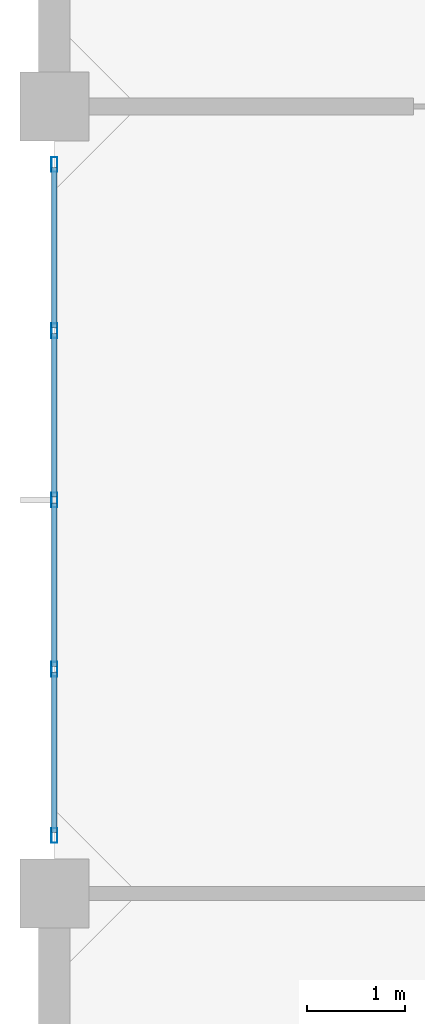
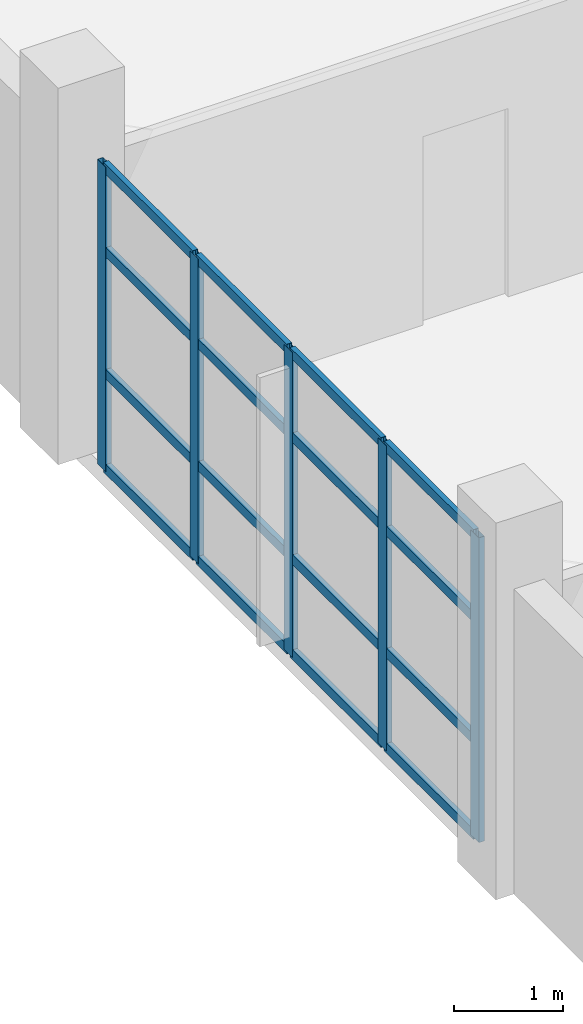
# One storey, part 8 of 27: 21 members, 1 element without a shape of its own.
"""IFC4 building model written with IfcOpenShell, lengths in metres."""

from ifc_helpers import new_model, si_unit, direction, frame, origin, origin_2d, place, context, subcontext, project, spatial, hollow_rectangle, extrude, material, layer, layer_set, material_profile, profile_set, type_object, element, aggregate, save


model = new_model("IFC4")

# Units and contexts
model_context = context("Model", 3, precision=1e-05, world=origin(), true_north=direction((0.0, 1.0)))
body_context = subcontext(model_context, "Body", "Model", "MODEL_VIEW")
ifc_project = project(units=[si_unit("LENGTHUNIT", "METRE"), si_unit("AREAUNIT", "SQUARE_METRE"), si_unit("VOLUMEUNIT", "CUBIC_METRE"), si_unit("PLANEANGLEUNIT", "RADIAN"), si_unit("MASSUNIT", "GRAM", prefix="KILO")], contexts=[model_context])

# Site, building, storey
site_placement = place(None, origin())
site = spatial("IfcSite", under=ifc_project, at=site_placement, CompositionType="ELEMENT")
building_placement = place(site_placement, origin())
building = spatial("IfcBuilding", under=site, at=building_placement, Name="Canggui Botanical Conservatory", CompositionType="ELEMENT")
storey_placement = place(building_placement, frame((0.0, 0.0, 36.0)))
storey = spatial("IfcBuildingStorey", under=building, at=storey_placement, Name="L09", CompositionType="ELEMENT", Elevation=36.0)

# Curtain wall, members
ifc_material = material(Name="Thermally Broken Aluminium", Category="aluminium")
ifc_layer = layer(ifc_material, 0.14990234375, Name="Thermally Broken Aluminium", Category="aluminium")
ifc_layer_set = layer_set([ifc_layer], Name="Thermally Broken Aluminium")
curtain_wall_type = type_object("IfcCurtainWallType", Name="CW-UNIT-C", PredefinedType="USERDEFINED", material=ifc_layer_set)
curtain_wall_placement = place(storey_placement, origin())
curtain_wall = element("IfcCurtainWall", 1, at=curtain_wall_placement, inside=storey, type_object=curtain_wall_type, Name="Facade Curtain Wall CW-TWR-L09-09", ObjectType="UNITISED CURTAIN WALL", PredefinedType="USERDEFINED")
ifc_material_profile_1 = material_profile(ifc_material, hollow_rectangle(XDim=0.06005859375, YDim=0.14990234375, WallThickness=0.00341796875, at=origin_2d()), Name="CWM 60x150x3.5")
ifc_profile_set_1 = profile_set([ifc_material_profile_1], Name="Thermally Broken Aluminium")
member_type_1 = type_object("IfcMemberType", Name="CWM-03", PredefinedType="MULLION", material=ifc_profile_set_1)
member_1_placement = place(storey_placement, frame((138.0, 58.590087890625, 0.0), z_axis=(0.0, 0.0, 1.0), x_axis=(-1.0, 0.0, 0.0)))
member_1 = element("IfcMember", 2, at=member_1_placement, type_object=member_type_1, Name="CW-03 mullion 1", PredefinedType="MULLION", context=body_context, shape_type="SweptSolid", body=[
    extrude(hollow_rectangle(XDim=0.06005859375, YDim=0.14990234375, WallThickness=0.00341796875, at=origin_2d()), origin(), (0.0, 0.0, 1.0), 3.39990234375),
])
member_2_placement = place(storey_placement, frame((138.0, 60.280029296875, 0.0), z_axis=(0.0, 0.0, 1.0), x_axis=(-1.0, 0.0, 0.0)))
member_2 = element("IfcMember", 3, at=member_2_placement, type_object=member_type_1, Name="CW-03 mullion 2", PredefinedType="MULLION", context=body_context, shape_type="SweptSolid", body=[
    extrude(hollow_rectangle(XDim=0.06005859375, YDim=0.14990234375, WallThickness=0.00341796875, at=origin_2d()), origin(), (0.0, 0.0, 1.0), 3.39990234375),
])
member_3_placement = place(storey_placement, frame((138.0, 62.0, 0.0), z_axis=(0.0, 0.0, 1.0), x_axis=(-1.0, 0.0, 0.0)))
member_3 = element("IfcMember", 4, at=member_3_placement, type_object=member_type_1, Name="CW-03 mullion 3", PredefinedType="MULLION", context=body_context, shape_type="SweptSolid", body=[
    extrude(hollow_rectangle(XDim=0.06005859375, YDim=0.14990234375, WallThickness=0.00341796875, at=origin_2d()), origin(), (0.0, 0.0, 1.0), 3.39990234375),
])
member_4_placement = place(storey_placement, frame((138.0, 63.719970703125, 0.0), z_axis=(0.0, 0.0, 1.0), x_axis=(-1.0, 0.0, 0.0)))
member_4 = element("IfcMember", 5, at=member_4_placement, type_object=member_type_1, Name="CW-03 mullion 4", PredefinedType="MULLION", context=body_context, shape_type="SweptSolid", body=[
    extrude(hollow_rectangle(XDim=0.06005859375, YDim=0.14990234375, WallThickness=0.00341796875, at=origin_2d()), origin(), (0.0, 0.0, 1.0), 3.39990234375),
])
member_5_placement = place(storey_placement, frame((138.0, 65.409912109375, 0.0), z_axis=(0.0, 0.0, 1.0), x_axis=(-1.0, 0.0, 0.0)))
member_5 = element("IfcMember", 6, at=member_5_placement, type_object=member_type_1, Name="CW-03 mullion 5", PredefinedType="MULLION", context=body_context, shape_type="SweptSolid", body=[
    extrude(hollow_rectangle(XDim=0.06005859375, YDim=0.14990234375, WallThickness=0.00341796875, at=origin_2d()), origin(), (0.0, 0.0, 1.0), 3.39990234375),
])
ifc_material_profile_2 = material_profile(ifc_material, hollow_rectangle(XDim=0.054931640625, YDim=0.110107421875, WallThickness=0.0029296875, at=origin_2d()), Name="CWT 55x110x3")
ifc_profile_set_2 = profile_set([ifc_material_profile_2], Name="Thermally Broken Aluminium")
member_type_2 = type_object("IfcMemberType", Name="CWT-03", PredefinedType="USERDEFINED", material=ifc_profile_set_2)
member_6_placement = place(storey_placement, frame((138.0, 58.6201171875, 0.027587890625), z_axis=(0.0, 1.0, 0.0), x_axis=(-1.0, 0.0, 0.0)))
member_6 = element("IfcMember", 7, at=member_6_placement, type_object=member_type_2, Name="CW-03 transom 1.1", ObjectType="TRANSOM", PredefinedType="USERDEFINED", context=body_context, shape_type="SweptSolid", body=[
    extrude(hollow_rectangle(XDim=0.054931640625, YDim=0.110107421875, WallThickness=0.0029296875, at=origin_2d()), origin(), (0.0, 0.0, 1.0), 1.6298828125),
])
member_7_placement = place(storey_placement, frame((138.0, 58.6201171875, 1.087890625), z_axis=(0.0, 1.0, 0.0), x_axis=(-1.0, 0.0, 0.0)))
member_7 = element("IfcMember", 8, at=member_7_placement, type_object=member_type_2, Name="CW-03 transom 1.2", ObjectType="TRANSOM", PredefinedType="USERDEFINED", context=body_context, shape_type="SweptSolid", body=[
    extrude(hollow_rectangle(XDim=0.054931640625, YDim=0.110107421875, WallThickness=0.0029296875, at=origin_2d()), origin(), (0.0, 0.0, 1.0), 1.6298828125),
])
member_8_placement = place(storey_placement, frame((138.0, 58.6201171875, 2.447998046875), z_axis=(0.0, 1.0, 0.0), x_axis=(-1.0, 0.0, 0.0)))
member_8 = element("IfcMember", 9, at=member_8_placement, type_object=member_type_2, Name="CW-03 transom 1.3", ObjectType="TRANSOM", PredefinedType="USERDEFINED", context=body_context, shape_type="SweptSolid", body=[
    extrude(hollow_rectangle(XDim=0.054931640625, YDim=0.110107421875, WallThickness=0.0029296875, at=origin_2d()), origin(), (0.0, 0.0, 1.0), 1.6298828125),
])
member_9_placement = place(storey_placement, frame((138.0, 58.6201171875, 3.37255859375), z_axis=(0.0, 1.0, 0.0), x_axis=(-1.0, 0.0, 0.0)))
member_9 = element("IfcMember", 10, at=member_9_placement, type_object=member_type_2, Name="CW-03 transom 1.4", ObjectType="TRANSOM", PredefinedType="USERDEFINED", context=body_context, shape_type="SweptSolid", body=[
    extrude(hollow_rectangle(XDim=0.054931640625, YDim=0.110107421875, WallThickness=0.0029296875, at=origin_2d()), origin(), (0.0, 0.0, 1.0), 1.6298828125),
])
member_10_placement = place(storey_placement, frame((138.0, 60.31005859375, 0.027587890625), z_axis=(0.0, 1.0, 0.0), x_axis=(-1.0, 0.0, 0.0)))
member_10 = element("IfcMember", 11, at=member_10_placement, type_object=member_type_2, Name="CW-03 transom 2.1", ObjectType="TRANSOM", PredefinedType="USERDEFINED", context=body_context, shape_type="SweptSolid", body=[
    extrude(hollow_rectangle(XDim=0.054931640625, YDim=0.110107421875, WallThickness=0.0029296875, at=origin_2d()), origin(), (0.0, 0.0, 1.0), 1.659912109375),
])
member_11_placement = place(storey_placement, frame((138.0, 60.31005859375, 1.087890625), z_axis=(0.0, 1.0, 0.0), x_axis=(-1.0, 0.0, 0.0)))
member_11 = element("IfcMember", 12, at=member_11_placement, type_object=member_type_2, Name="CW-03 transom 2.2", ObjectType="TRANSOM", PredefinedType="USERDEFINED", context=body_context, shape_type="SweptSolid", body=[
    extrude(hollow_rectangle(XDim=0.054931640625, YDim=0.110107421875, WallThickness=0.0029296875, at=origin_2d()), origin(), (0.0, 0.0, 1.0), 1.659912109375),
])
member_12_placement = place(storey_placement, frame((138.0, 60.31005859375, 2.447998046875), z_axis=(0.0, 1.0, 0.0), x_axis=(-1.0, 0.0, 0.0)))
member_12 = element("IfcMember", 13, at=member_12_placement, type_object=member_type_2, Name="CW-03 transom 2.3", ObjectType="TRANSOM", PredefinedType="USERDEFINED", context=body_context, shape_type="SweptSolid", body=[
    extrude(hollow_rectangle(XDim=0.054931640625, YDim=0.110107421875, WallThickness=0.0029296875, at=origin_2d()), origin(), (0.0, 0.0, 1.0), 1.659912109375),
])
member_13_placement = place(storey_placement, frame((138.0, 60.31005859375, 3.37255859375), z_axis=(0.0, 1.0, 0.0), x_axis=(-1.0, 0.0, 0.0)))
member_13 = element("IfcMember", 14, at=member_13_placement, type_object=member_type_2, Name="CW-03 transom 2.4", ObjectType="TRANSOM", PredefinedType="USERDEFINED", context=body_context, shape_type="SweptSolid", body=[
    extrude(hollow_rectangle(XDim=0.054931640625, YDim=0.110107421875, WallThickness=0.0029296875, at=origin_2d()), origin(), (0.0, 0.0, 1.0), 1.659912109375),
])
member_14_placement = place(storey_placement, frame((138.0, 62.030029296875, 0.027587890625), z_axis=(0.0, 1.0, 0.0), x_axis=(-1.0, 0.0, 0.0)))
member_14 = element("IfcMember", 15, at=member_14_placement, type_object=member_type_2, Name="CW-03 transom 3.1", ObjectType="TRANSOM", PredefinedType="USERDEFINED", context=body_context, shape_type="SweptSolid", body=[
    extrude(hollow_rectangle(XDim=0.054931640625, YDim=0.110107421875, WallThickness=0.0029296875, at=origin_2d()), origin(), (0.0, 0.0, 1.0), 1.659912109375),
])
member_15_placement = place(storey_placement, frame((138.0, 62.030029296875, 1.087890625), z_axis=(0.0, 1.0, 0.0), x_axis=(-1.0, 0.0, 0.0)))
member_15 = element("IfcMember", 16, at=member_15_placement, type_object=member_type_2, Name="CW-03 transom 3.2", ObjectType="TRANSOM", PredefinedType="USERDEFINED", context=body_context, shape_type="SweptSolid", body=[
    extrude(hollow_rectangle(XDim=0.054931640625, YDim=0.110107421875, WallThickness=0.0029296875, at=origin_2d()), origin(), (0.0, 0.0, 1.0), 1.659912109375),
])
member_16_placement = place(storey_placement, frame((138.0, 62.030029296875, 2.447998046875), z_axis=(0.0, 1.0, 0.0), x_axis=(-1.0, 0.0, 0.0)))
member_16 = element("IfcMember", 17, at=member_16_placement, type_object=member_type_2, Name="CW-03 transom 3.3", ObjectType="TRANSOM", PredefinedType="USERDEFINED", context=body_context, shape_type="SweptSolid", body=[
    extrude(hollow_rectangle(XDim=0.054931640625, YDim=0.110107421875, WallThickness=0.0029296875, at=origin_2d()), origin(), (0.0, 0.0, 1.0), 1.659912109375),
])
member_17_placement = place(storey_placement, frame((138.0, 62.030029296875, 3.37255859375), z_axis=(0.0, 1.0, 0.0), x_axis=(-1.0, 0.0, 0.0)))
member_17 = element("IfcMember", 18, at=member_17_placement, type_object=member_type_2, Name="CW-03 transom 3.4", ObjectType="TRANSOM", PredefinedType="USERDEFINED", context=body_context, shape_type="SweptSolid", body=[
    extrude(hollow_rectangle(XDim=0.054931640625, YDim=0.110107421875, WallThickness=0.0029296875, at=origin_2d()), origin(), (0.0, 0.0, 1.0), 1.659912109375),
])
member_18_placement = place(storey_placement, frame((138.0, 63.75, 0.027587890625), z_axis=(0.0, 1.0, 0.0), x_axis=(-1.0, 0.0, 0.0)))
member_18 = element("IfcMember", 19, at=member_18_placement, type_object=member_type_2, Name="CW-03 transom 4.1", ObjectType="TRANSOM", PredefinedType="USERDEFINED", context=body_context, shape_type="SweptSolid", body=[
    extrude(hollow_rectangle(XDim=0.054931640625, YDim=0.110107421875, WallThickness=0.0029296875, at=origin_2d()), origin(), (0.0, 0.0, 1.0), 1.6298828125),
])
member_19_placement = place(storey_placement, frame((138.0, 63.75, 1.087890625), z_axis=(0.0, 1.0, 0.0), x_axis=(-1.0, 0.0, 0.0)))
member_19 = element("IfcMember", 20, at=member_19_placement, type_object=member_type_2, Name="CW-03 transom 4.2", ObjectType="TRANSOM", PredefinedType="USERDEFINED", context=body_context, shape_type="SweptSolid", body=[
    extrude(hollow_rectangle(XDim=0.054931640625, YDim=0.110107421875, WallThickness=0.0029296875, at=origin_2d()), origin(), (0.0, 0.0, 1.0), 1.6298828125),
])
member_20_placement = place(storey_placement, frame((138.0, 63.75, 2.447998046875), z_axis=(0.0, 1.0, 0.0), x_axis=(-1.0, 0.0, 0.0)))
member_20 = element("IfcMember", 21, at=member_20_placement, type_object=member_type_2, Name="CW-03 transom 4.3", ObjectType="TRANSOM", PredefinedType="USERDEFINED", context=body_context, shape_type="SweptSolid", body=[
    extrude(hollow_rectangle(XDim=0.054931640625, YDim=0.110107421875, WallThickness=0.0029296875, at=origin_2d()), origin(), (0.0, 0.0, 1.0), 1.6298828125),
])
member_21_placement = place(storey_placement, frame((138.0, 63.75, 3.37255859375), z_axis=(0.0, 1.0, 0.0), x_axis=(-1.0, 0.0, 0.0)))
member_21 = element("IfcMember", 22, at=member_21_placement, type_object=member_type_2, Name="CW-03 transom 4.4", ObjectType="TRANSOM", PredefinedType="USERDEFINED", context=body_context, shape_type="SweptSolid", body=[
    extrude(hollow_rectangle(XDim=0.054931640625, YDim=0.110107421875, WallThickness=0.0029296875, at=origin_2d()), origin(), (0.0, 0.0, 1.0), 1.6298828125),
])
aggregate(curtain_wall, [member_1, member_2, member_3, member_4, member_5, member_6, member_7, member_8, member_9, member_10, member_11, member_12, member_13, member_14, member_15, member_16, member_17, member_18, member_19, member_20, member_21])

save(model, "model.ifc")
